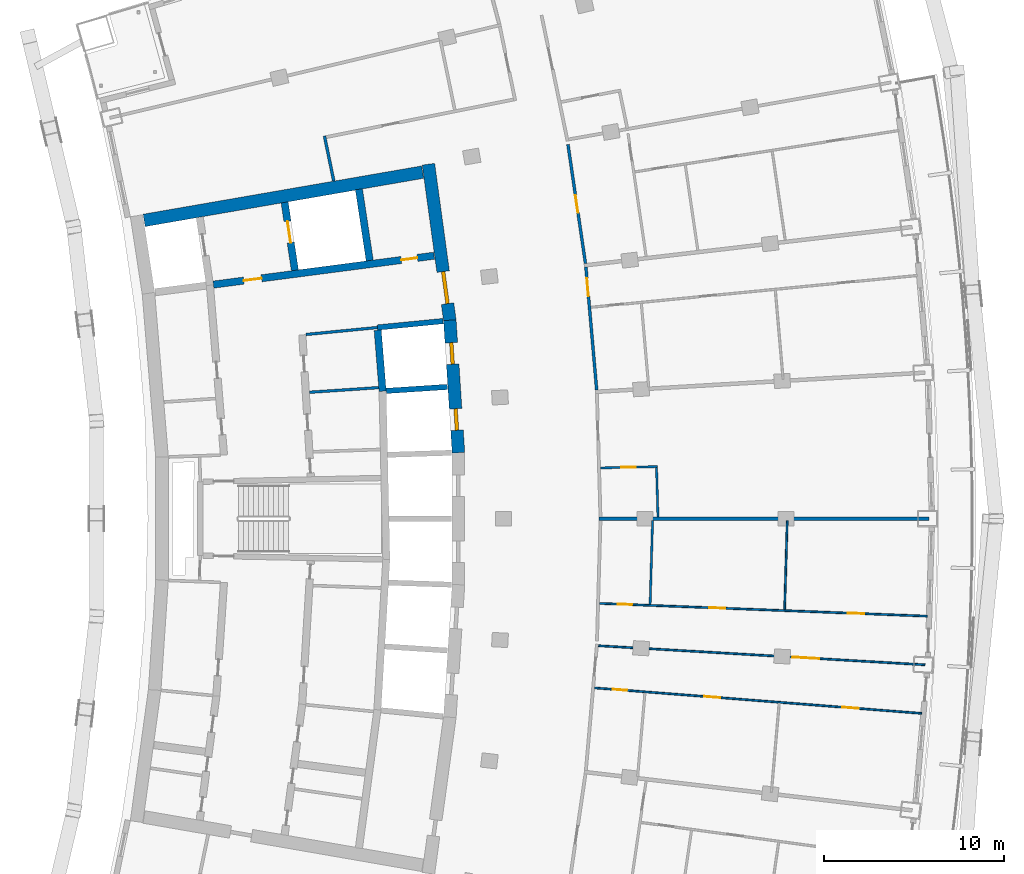
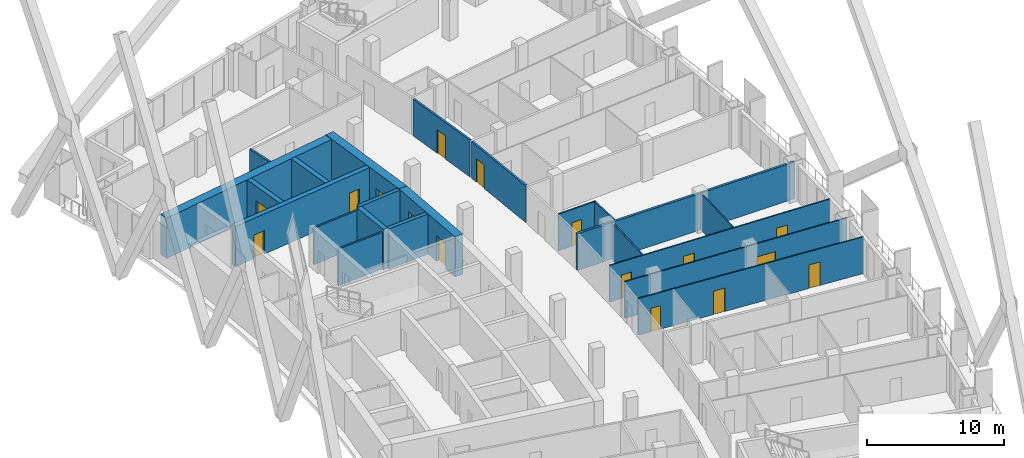
# One storey, part 15 of 22: 22 walls, 16 doors, 16 openings.
"""IFC4 building model written with IfcOpenShell, lengths in metres."""

from ifc_helpers import new_model, si_unit, direction, frame, frame_2d, origin, place, context, subcontext, project, spatial, rectangle, extrude, material, layer, layer_set, type_object, element, fill, save


model = new_model("IFC4")

# Units and contexts
model_context = context("Model", 3, precision=1e-05, world=origin(), true_north=direction((0.0, 1.0)))
body_context = subcontext(model_context, "Body", "Model", "MODEL_VIEW")
ifc_project = project(units=[si_unit("LENGTHUNIT", "METRE"), si_unit("AREAUNIT", "SQUARE_METRE"), si_unit("VOLUMEUNIT", "CUBIC_METRE"), si_unit("PLANEANGLEUNIT", "RADIAN"), si_unit("MASSUNIT", "GRAM", prefix="KILO")], contexts=[model_context])

# Site, building, storey
site_placement = place(None, origin())
site = spatial("IfcSite", under=ifc_project, at=site_placement, CompositionType="ELEMENT")
building_placement = place(site_placement, origin())
building = spatial("IfcBuilding", under=site, at=building_placement, Name="Alderwake Tower", CompositionType="ELEMENT")
storey_placement = place(building_placement, frame((0.0, 0.0, 160.39990234375)))
storey = spatial("IfcBuildingStorey", under=building, at=storey_placement, Name="L39", CompositionType="ELEMENT", Elevation=160.39990234375)

# Walls
ifc_material_1 = material(Name="Gypsum shaft wall system, rated")
ifc_layer_1 = layer(ifc_material_1, 0.14990234375)
ifc_layer_set_1 = layer_set([ifc_layer_1], Name="Core room partition 150")
wall_type_1 = type_object("IfcWallType", Name="Core room partition 150", PredefinedType="PARTITIONING", material=ifc_layer_set_1)
wall_1_placement = place(storey_placement, frame((24.992431640625, 68.038818359375, 0.0), z_axis=(0.0, 0.0, 1.0), x_axis=(0.997760236964, 0.066891774789, 0.0)))
element("IfcWall", 1, at=wall_1_placement, inside=storey, type_object=wall_type_1, Name="CW/L39/PR+70_+86", PredefinedType="PARTITIONING", context=body_context, shape_type="SweptSolid", body=[
    extrude(rectangle(XDim=3.86865234375, YDim=0.14990234375, at=frame_2d((1.934326171875, 0.0))), origin(), (0.0, 0.0, 1.0), 3.280029296875),
])
wall_2_placement = place(storey_placement, frame((24.799560546875, 71.2548828125, 0.0), z_axis=(0.0, 0.0, 1.0), x_axis=(0.995250000627, 0.097352125046, 0.0)))
element("IfcWall", 2, at=wall_2_placement, inside=storey, type_object=wall_type_1, Name="CW/L39/PR+102_+86", PredefinedType="PARTITIONING", context=body_context, shape_type="SweptSolid", body=[
    extrude(rectangle(XDim=4.0, YDim=0.14990234375, at=frame_2d((2.0, 0.0))), origin(), (0.0, 0.0, 1.0), 3.280029296875),
])

# Wall, openings, doors
ifc_material_2 = material(Name="Concrete C70/85", Category="concrete")
ifc_layer_2 = layer(ifc_material_2, 0.699951171875)
ifc_layer_set_2 = layer_set([ifc_layer_2], Name="Core wall outer 700 C70-85")
wall_type_2 = type_object("IfcWallType", Name="Core wall outer 700 C70-85", PredefinedType="SHEAR", material=ifc_layer_set_2)
wall_3_placement = place(storey_placement, frame((33.291015625, 64.6728515625, 0.0), z_axis=(0.0, 0.0, 1.0), x_axis=(-0.065009096017, 0.99788467141, 0.0)))
wall_3 = element("IfcWall", 3, at=wall_3_placement, inside=storey, type_object=wall_type_2, Name="Core wall CW.010", PredefinedType="SHEAR", context=body_context, shape_type="SweptSolid", body=[
    extrude(rectangle(XDim=7.39453125, YDim=0.699951171875, at=frame_2d((3.697265625, 0.0))), origin(), (0.0, 0.0, 1.0), 3.60009765625),
])
opening_1_placement = place(wall_3_placement, frame((1.25390625, 0.0, 0.0)))
opening_1 = element("IfcOpeningElement", 4, at=opening_1_placement, cuts=wall_3, Name="Opening LD-HP5", PredefinedType="OPENING", context=body_context, shape_type="SweptSolid", body=[
    extrude(rectangle(XDim=1.199951171875, YDim=2.300048828125, at=frame_2d((0.60009765625, 1.14990234375))), frame((0.0, 0.35986328125, 0.0), z_axis=(0.0, -1.0, 0.0), x_axis=(1.0, 0.0, 0.0)), (0.0, 0.0, 1.0), 0.719970703125),
])
opening_2_placement = place(wall_3_placement, frame((4.939208984375, 0.0, 0.0)))
opening_2 = element("IfcOpeningElement", 5, at=opening_2_placement, cuts=wall_3, Name="Opening LD-HP6", PredefinedType="OPENING", context=body_context, shape_type="SweptSolid", body=[
    extrude(rectangle(XDim=1.199951171875, YDim=2.300048828125, at=frame_2d((0.60009765625, 1.14990234375))), frame((0.0, 0.35986328125, 0.0), z_axis=(0.0, -1.0, 0.0), x_axis=(1.0, 0.0, 0.0)), (0.0, 0.0, 1.0), 0.719970703125),
])
ifc_material_3 = material(Name="Stainless steel sliding leaf", Category="steel")
door_type_1 = type_object("IfcDoorType", Name="Lift landing door 1200", OperationType="SLIDING_TO_LEFT", PredefinedType="DOOR", material=ifc_material_3)
door_1_placement = place(opening_1_placement, origin())
door_1 = element("IfcDoor", 6, at=door_1_placement, inside=storey, type_object=door_type_1, Name="Lift landing door HP5", OperationType="SLIDING_TO_LEFT", OverallHeight=2.300048828125, OverallWidth=1.199951171875, PredefinedType="DOOR", context=body_context, shape_type="SweptSolid", body=[
    extrude(rectangle(XDim=1.199951171875, YDim=2.300048828125, at=frame_2d((0.60009765625, 1.14990234375))), frame((0.0, 0.10009765625, 0.0), z_axis=(0.0, -1.0, 0.0), x_axis=(1.0, 0.0, 0.0)), (0.0, 0.0, 1.0), 0.199951171875),
])
fill(opening_1, door_1)
door_2_placement = place(opening_2_placement, origin())
door_2 = element("IfcDoor", 7, at=door_2_placement, inside=storey, type_object=door_type_1, Name="Lift landing door HP6", OperationType="SLIDING_TO_LEFT", OverallHeight=2.300048828125, OverallWidth=1.199951171875, PredefinedType="DOOR", context=body_context, shape_type="SweptSolid", body=[
    extrude(rectangle(XDim=1.199951171875, YDim=2.300048828125, at=frame_2d((0.60009765625, 1.14990234375))), frame((0.0, 0.10009765625, 0.0), z_axis=(0.0, -1.0, 0.0), x_axis=(1.0, 0.0, 0.0)), (0.0, 0.0, 1.0), 0.199951171875),
])
fill(opening_2, door_2)

# Wall, opening, door
wall_4_placement = place(storey_placement, frame((31.618896484375, 80.735107421875, 0.0), z_axis=(0.0, 0.0, 1.0), x_axis=(0.135835706655, -0.99073137671, 0.0)))
wall_4 = element("IfcWall", 8, at=wall_4_placement, inside=storey, type_object=wall_type_2, Name="Core wall CW.009", PredefinedType="SHEAR", context=body_context, shape_type="SweptSolid", body=[
    extrude(rectangle(XDim=8.790771484375, YDim=0.699951171875, at=frame_2d((4.3955078125, 0.0))), origin(), (0.0, 0.0, 1.0), 3.60009765625),
])
opening_3_placement = place(wall_4_placement, frame((6.035888671875, 0.0, 0.0)))
opening_3 = element("IfcOpeningElement", 9, at=opening_3_placement, cuts=wall_4, Name="Opening C001", PredefinedType="OPENING", context=body_context, shape_type="SweptSolid", body=[
    extrude(rectangle(XDim=1.800048828125, YDim=2.10009765625, at=frame_2d((0.89990234375, 1.050048828125))), frame((0.0, 0.35986328125, 0.0), z_axis=(0.0, -1.0, 0.0), x_axis=(1.0, 0.0, 0.0)), (0.0, 0.0, 1.0), 0.719970703125),
])
ifc_material_4 = material(Name="Steel-framed fire door leaves", Category="steel")
door_type_2 = type_object("IfcDoorType", Name="Core double door 1800 fire-rated", OperationType="DOUBLE_DOOR_SINGLE_SWING", PredefinedType="DOOR", material=ifc_material_4)
door_3_placement = place(opening_3_placement, origin())
door_3 = element("IfcDoor", 10, at=door_3_placement, inside=storey, type_object=door_type_2, Name="Lobby double door", OperationType="DOUBLE_DOOR_SINGLE_SWING", OverallHeight=2.10009765625, OverallWidth=1.800048828125, PredefinedType="DOOR", context=body_context, shape_type="SweptSolid", body=[
    extrude(rectangle(XDim=1.800048828125, YDim=2.10009765625, at=frame_2d((0.89990234375, 1.050048828125))), frame((0.0, 0.10009765625, 0.0), z_axis=(0.0, -1.0, 0.0), x_axis=(1.0, 0.0, 0.0)), (0.0, 0.0, 1.0), 0.199951171875),
])
fill(opening_3, door_3)

# Walls
wall_5_placement = place(storey_placement, frame((15.79443359375, 77.606689453125, 0.0), z_axis=(0.0, 0.0, 1.0), x_axis=(0.985301369349, 0.170825090542, 0.0)))
element("IfcWall", 11, at=wall_5_placement, inside=storey, type_object=wall_type_2, Name="Core wall CW.055", PredefinedType="SHEAR", context=body_context, shape_type="SweptSolid", body=[
    extrude(rectangle(XDim=15.732421875, YDim=0.699951171875, at=frame_2d((7.8662109375, 0.0))), origin(), (0.0, 0.0, 1.0), 3.60009765625),
])
ifc_material_5 = material(Name="Concrete C70/85", Category="concrete")
ifc_layer_3 = layer(ifc_material_5, 0.300048828125)
ifc_layer_set_3 = layer_set([ifc_layer_3], Name="Core wall shaft 300 C70-85")
wall_type_3 = type_object("IfcWallType", Name="Core wall shaft 300 C70-85", PredefinedType="SHEAR", material=ifc_layer_set_3)
wall_6_placement = place(storey_placement, frame((29.268798828125, 68.115478515625, 0.0), z_axis=(0.0, 0.0, 1.0), x_axis=(0.997884450261, 0.065012490553, 0.0)))
element("IfcWall", 12, at=wall_6_placement, inside=storey, type_object=wall_type_3, Name="Core wall CW.061", PredefinedType="SHEAR", context=body_context, shape_type="SweptSolid", body=[
    extrude(rectangle(XDim=3.409912109375, YDim=0.300048828125, at=frame_2d((1.705078125, 0.0))), origin(), (0.0, 0.0, 1.0), 3.60009765625),
])
wall_7_placement = place(storey_placement, frame((28.780517578125, 71.644287109375, 0.0), z_axis=(0.0, 0.0, 1.0), x_axis=(0.995245736737, 0.097395705788, 0.0)))
element("IfcWall", 13, at=wall_7_placement, inside=storey, type_object=wall_type_3, Name="Core wall CW.049", PredefinedType="SHEAR", context=body_context, shape_type="SweptSolid", body=[
    extrude(rectangle(XDim=3.669677734375, YDim=0.300048828125, at=frame_2d((1.8349609375, 0.0))), origin(), (0.0, 0.0, 1.0), 3.60009765625),
])

# Wall, opening, door
ifc_material_6 = material(Name="Concrete C70/85", Category="concrete")
ifc_layer_4 = layer(ifc_material_6, 0.39990234375)
ifc_layer_set_4 = layer_set([ifc_layer_4], Name="Core wall spine 400 C70-85")
wall_type_4 = type_object("IfcWallType", Name="Core wall spine 400 C70-85", PredefinedType="SHEAR", material=ifc_layer_set_4)
wall_8_placement = place(storey_placement, frame((24.186279296875, 74.82861328125, 0.0), z_axis=(0.0, 0.0, 1.0), x_axis=(-0.149604879253, 0.988745862243, 0.0)))
wall_8 = element("IfcWall", 14, at=wall_8_placement, inside=storey, type_object=wall_type_4, Name="Core wall CW.044", PredefinedType="SHEAR", context=body_context, shape_type="SweptSolid", body=[
    extrude(rectangle(XDim=3.823486328125, YDim=0.39990234375, at=frame_2d((1.91162109375, 0.0))), origin(), (0.0, 0.0, 1.0), 3.60009765625),
])
opening_4_placement = place(wall_8_placement, frame((1.561767578125, 0.0, 0.0)))
opening_4 = element("IfcOpeningElement", 15, at=opening_4_placement, cuts=wall_8, Name="Opening LD-FF2", PredefinedType="OPENING", context=body_context, shape_type="SweptSolid", body=[
    extrude(rectangle(XDim=1.199951171875, YDim=2.300048828125, at=frame_2d((0.60009765625, 1.14990234375))), frame((0.0, 0.2099609375, 0.0), z_axis=(0.0, -1.0, 0.0), x_axis=(1.0, 0.0, 0.0)), (0.0, 0.0, 1.0), 0.419921875),
])
door_4_placement = place(opening_4_placement, origin())
door_4 = element("IfcDoor", 16, at=door_4_placement, inside=storey, type_object=door_type_1, Name="Lift landing door FF2", OperationType="SLIDING_TO_LEFT", OverallHeight=2.300048828125, OverallWidth=1.199951171875, PredefinedType="DOOR", context=body_context, shape_type="SweptSolid", body=[
    extrude(rectangle(XDim=1.199951171875, YDim=2.300048828125, at=frame_2d((0.60009765625, 1.14990234375))), frame((0.0, 0.02490234375, 0.0), z_axis=(0.0, -1.0, 0.0), x_axis=(1.0, 0.0, 0.0)), (0.0, 0.0, 1.0), 0.050048828125),
])
fill(opening_4, door_4)

# Walls
wall_9_placement = place(storey_placement, frame((29.069580078125, 68.09619140625, 0.0), z_axis=(0.0, 0.0, 1.0), x_axis=(-0.080544811251, 0.996750988653, 0.0)))
element("IfcWall", 17, at=wall_9_placement, inside=storey, type_object=wall_type_4, Name="Core wall CW.003", PredefinedType="SHEAR", context=body_context, shape_type="SweptSolid", body=[
    extrude(rectangle(XDim=3.409912109375, YDim=0.39990234375, at=frame_2d((1.705078125, 0.0))), origin(), (0.0, 0.0, 1.0), 3.60009765625),
])
wall_10_placement = place(storey_placement, frame((28.350830078125, 75.373291015625, 0.0), z_axis=(0.0, 0.0, 1.0), x_axis=(-0.149688214264, 0.988733249421, 0.0)))
element("IfcWall", 18, at=wall_10_placement, inside=storey, type_object=wall_type_4, Name="Core wall CW.001", PredefinedType="SHEAR", context=body_context, shape_type="SweptSolid", body=[
    extrude(rectangle(XDim=4.01220703125, YDim=0.39990234375, at=frame_2d((2.006103515625, 0.0))), origin(), (0.0, 0.0, 1.0), 3.60009765625),
])

# Wall, openings, doors
wall_11_placement = place(storey_placement, frame((31.933837890625, 75.64013671875, 0.0), z_axis=(0.0, 0.0, 1.0), x_axis=(-0.991554628634, -0.129689700573, 0.0)))
wall_11 = element("IfcWall", 19, at=wall_11_placement, inside=storey, type_object=wall_type_4, Name="Core wall CW.052", PredefinedType="SHEAR", context=body_context, shape_type="SweptSolid", body=[
    extrude(rectangle(XDim=12.38671875, YDim=0.39990234375, at=frame_2d((6.193359375, 0.0))), origin(), (0.0, 0.0, 1.0), 3.60009765625),
])
opening_5_placement = place(wall_11_placement, frame((9.687255859375, 0.0, 0.0)))
opening_5 = element("IfcOpeningElement", 20, at=opening_5_placement, cuts=wall_11, Name="Opening C002", PredefinedType="OPENING", context=body_context, shape_type="SweptSolid", body=[
    extrude(rectangle(XDim=1.0, YDim=2.10009765625, at=frame_2d((0.5, 1.050048828125))), frame((0.0, 0.2099609375, 0.0), z_axis=(0.0, -1.0, 0.0), x_axis=(1.0, 0.0, 0.0)), (0.0, 0.0, 1.0), 0.419921875),
])
opening_6_placement = place(wall_11_placement, frame((0.937255859375, 0.0, 0.0)))
opening_6 = element("IfcOpeningElement", 21, at=opening_6_placement, cuts=wall_11, Name="Opening C020", PredefinedType="OPENING", context=body_context, shape_type="SweptSolid", body=[
    extrude(rectangle(XDim=0.89990234375, YDim=2.10009765625, at=frame_2d((0.449951171875, 1.050048828125))), frame((0.0, 0.2099609375, 0.0), z_axis=(0.0, -1.0, 0.0), x_axis=(1.0, 0.0, 0.0)), (0.0, 0.0, 1.0), 0.419921875),
])
ifc_material_7 = material(Name="Painted steel leaf", Category="steel")
door_type_3 = type_object("IfcDoorType", Name="Core room door 900", OperationType="SINGLE_SWING_LEFT", PredefinedType="DOOR", material=ifc_material_7)
door_5_placement = place(opening_6_placement, origin())
door_5 = element("IfcDoor", 22, at=door_5_placement, inside=storey, type_object=door_type_3, Name="Room door", OperationType="SINGLE_SWING_LEFT", OverallHeight=2.10009765625, OverallWidth=0.89990234375, PredefinedType="DOOR", context=body_context, shape_type="SweptSolid", body=[
    extrude(rectangle(XDim=0.89990234375, YDim=2.10009765625, at=frame_2d((0.449951171875, 1.050048828125))), frame((0.0, 0.02490234375, 0.0), z_axis=(0.0, -1.0, 0.0), x_axis=(1.0, 0.0, 0.0)), (0.0, 0.0, 1.0), 0.050048828125),
])
fill(opening_6, door_5)
ifc_material_8 = material(Name="Steel-framed fire door leaf", Category="steel")
door_type_4 = type_object("IfcDoorType", Name="Firefighting lobby door 1000 fire-rated", OperationType="SINGLE_SWING_LEFT", PredefinedType="DOOR", material=ifc_material_8)
door_6_placement = place(opening_5_placement, origin())
door_6 = element("IfcDoor", 23, at=door_6_placement, inside=storey, type_object=door_type_4, Name="Firefighting lobby door", OperationType="SINGLE_SWING_RIGHT", OverallHeight=2.10009765625, OverallWidth=1.0, PredefinedType="DOOR", context=body_context, shape_type="SweptSolid", body=[
    extrude(rectangle(XDim=1.0, YDim=2.10009765625, at=frame_2d((0.5, 1.050048828125))), frame((0.0, 0.02490234375, 0.0), z_axis=(0.0, -1.0, 0.0), x_axis=(1.0, 0.0, 0.0)), (0.0, 0.0, 1.0), 0.050048828125),
])
fill(opening_5, door_6)

# Wall
ifc_material_9 = material(Name="Gypsum board on metal studs, rated")
ifc_layer_5 = layer(ifc_material_9, 0.159912109375)
ifc_layer_set_5 = layer_set([ifc_layer_5], Name="Corridor wall 160")
wall_type_5 = type_object("IfcWallType", Name="Corridor wall 160", PredefinedType="PARTITIONING", material=ifc_layer_set_5)
wall_12_placement = place(storey_placement, frame((25.831787109375, 82.305419921875, 0.0), z_axis=(0.0, 0.0, 1.0), x_axis=(0.202450797205, -0.979292435747, 0.0)))
element("IfcWall", 24, at=wall_12_placement, inside=storey, type_object=wall_type_5, Name="WL/L39/W14", PredefinedType="PARTITIONING", context=body_context, shape_type="SweptSolid", body=[
    extrude(rectangle(XDim=2.555419921875, YDim=0.159912109375, at=frame_2d((1.27783203125, 0.0))), origin(), (0.0, 0.0, 1.0), 3.280029296875),
])

# Wall, opening, door
wall_13_placement = place(storey_placement, frame((39.38671875, 81.837158203125, 0.0), z_axis=(0.0, 0.0, 1.0), x_axis=(0.145576845789, -0.989346947218, 0.0)))
wall_13 = element("IfcWall", 25, at=wall_13_placement, inside=storey, type_object=wall_type_5, Name="WL/L39/W24", PredefinedType="PARTITIONING", context=body_context, shape_type="SweptSolid", body=[
    extrude(rectangle(XDim=6.701416015625, YDim=0.159912109375, at=frame_2d((3.3505859375, 0.0))), origin(), (0.0, 0.0, 1.0), 3.280029296875),
])
opening_7_placement = place(wall_13_placement, frame((2.850830078125, 0.0, 0.0)))
opening_7 = element("IfcOpeningElement", 26, at=opening_7_placement, cuts=wall_13, Name="Opening R11-U08.2", PredefinedType="OPENING", context=body_context, shape_type="SweptSolid", body=[
    extrude(rectangle(XDim=1.0, YDim=2.10009765625, at=frame_2d((0.5, 1.050048828125))), frame((0.0, 0.08984375, 0.0), z_axis=(0.0, -1.0, 0.0), x_axis=(1.0, 0.0, 0.0)), (0.0, 0.0, 1.0), 0.179931640625),
])
ifc_material_10 = material(Name="Solid timber leaf in steel frame", Category="steel")
door_type_5 = type_object("IfcDoorType", Name="Flat entrance door 1000 fire-rated", OperationType="SINGLE_SWING_LEFT", PredefinedType="DOOR", material=ifc_material_10)
door_7_placement = place(opening_7_placement, origin())
door_7 = element("IfcDoor", 27, at=door_7_placement, inside=storey, type_object=door_type_5, Name="DR/L39/U08.2", OperationType="SINGLE_SWING_LEFT", OverallHeight=2.10009765625, OverallWidth=1.0, PredefinedType="DOOR", context=body_context, shape_type="SweptSolid", body=[
    extrude(rectangle(XDim=1.0, YDim=2.10009765625, at=frame_2d((0.5, 1.050048828125))), frame((0.0, 0.02490234375, 0.0), z_axis=(0.0, -1.0, 0.0), x_axis=(1.0, 0.0, 0.0)), (0.0, 0.0, 1.0), 0.050048828125),
])
fill(opening_7, door_7)

wall_14_placement = place(storey_placement, frame((40.3857421875, 75.00830078125, 0.0), z_axis=(0.0, 0.0, 1.0), x_axis=(0.087448731147, -0.996169021512, 0.0)))
wall_14 = element("IfcWall", 28, at=wall_14_placement, inside=storey, type_object=wall_type_5, Name="WL/L39/W26", PredefinedType="PARTITIONING", context=body_context, shape_type="SweptSolid", body=[
    extrude(rectangle(XDim=6.867919921875, YDim=0.159912109375, at=frame_2d((3.43408203125, 0.0))), origin(), (0.0, 0.0, 1.0), 3.280029296875),
])
opening_8_placement = place(wall_14_placement, frame((0.628173828125, 0.0, 0.0)))
opening_8 = element("IfcOpeningElement", 29, at=opening_8_placement, cuts=wall_14, Name="Opening R11-U07.2", PredefinedType="OPENING", context=body_context, shape_type="SweptSolid", body=[
    extrude(rectangle(XDim=1.0, YDim=2.10009765625, at=frame_2d((0.5, 1.050048828125))), frame((0.0, 0.08984375, 0.0), z_axis=(0.0, -1.0, 0.0), x_axis=(1.0, 0.0, 0.0)), (0.0, 0.0, 1.0), 0.179931640625),
])
door_8_placement = place(opening_8_placement, origin())
door_8 = element("IfcDoor", 30, at=door_8_placement, inside=storey, type_object=door_type_5, Name="DR/L39/U07.2", OperationType="SINGLE_SWING_LEFT", OverallHeight=2.10009765625, OverallWidth=1.0, PredefinedType="DOOR", context=body_context, shape_type="SweptSolid", body=[
    extrude(rectangle(XDim=1.0, YDim=2.10009765625, at=frame_2d((0.5, 1.050048828125))), frame((0.0, 0.02490234375, 0.0), z_axis=(0.0, -1.0, 0.0), x_axis=(1.0, 0.0, 0.0)), (0.0, 0.0, 1.0), 0.050048828125),
])
fill(opening_8, door_8)

# Wall
ifc_material_11 = material(Name="Dense block masonry wall", Category="masonry")
ifc_layer_6 = layer(ifc_material_11, 0.199951171875)
ifc_layer_set_6 = layer_set([ifc_layer_6], Name="Party wall 200")
wall_type_6 = type_object("IfcWallType", Name="Party wall 200", PredefinedType="SOLIDWALL", material=ifc_layer_set_6)
wall_15_placement = place(storey_placement, frame((59.4990234375, 60.9990234375, 0.0), z_axis=(0.0, 0.0, 1.0), x_axis=(-1.0, 0.0, 0.0)))
element("IfcWall", 31, at=wall_15_placement, inside=storey, type_object=wall_type_6, Name="WL/L39/W05", PredefinedType="SOLIDWALL", context=body_context, shape_type="SweptSolid", body=[
    extrude(rectangle(XDim=18.380126953125, YDim=0.199951171875, at=frame_2d((9.18994140625, 0.0))), origin(), (0.0, 0.0, 1.0), 3.280029296875),
])

# Wall, openings, doors
ifc_material_12 = material(Name="Gypsum board on metal studs")
ifc_layer_7 = layer(ifc_material_12, 0.10009765625)
ifc_layer_set_7 = layer_set([ifc_layer_7], Name="Unit partition 100")
wall_type_7 = type_object("IfcWallType", Name="Unit partition 100", PredefinedType="PARTITIONING", material=ifc_layer_set_7)
wall_16_placement = place(storey_placement, frame((59.075927734375, 50.1630859375, 0.0), z_axis=(0.0, 0.0, 1.0), x_axis=(-0.996978274277, 0.077680889673, 0.0)))
wall_16 = element("IfcWall", 32, at=wall_16_placement, inside=storey, type_object=wall_type_7, Name="WL/L39/W45", PredefinedType="PARTITIONING", context=body_context, shape_type="SweptSolid", body=[
    extrude(rectangle(XDim=18.26318359375, YDim=0.10009765625, at=frame_2d((9.131591796875, 0.0))), origin(), (0.0, 0.0, 1.0), 3.280029296875),
])
opening_9_placement = place(wall_16_placement, frame((11.247802734375, 0.0, 0.0)))
opening_9 = element("IfcOpeningElement", 33, at=opening_9_placement, cuts=wall_16, Name="Opening R11-U05.1", PredefinedType="OPENING", context=body_context, shape_type="SweptSolid", body=[
    extrude(rectangle(XDim=0.89990234375, YDim=2.10009765625, at=frame_2d((0.449951171875, 1.050048828125))), frame((0.0, 0.06005859375, 0.0), z_axis=(0.0, -1.0, 0.0), x_axis=(1.0, 0.0, 0.0)), (0.0, 0.0, 1.0), 0.1201171875),
])
opening_10_placement = place(wall_16_placement, frame((16.4541015625, 0.0, 0.0)))
opening_10 = element("IfcOpeningElement", 34, at=opening_10_placement, cuts=wall_16, Name="Opening R11-U05.3", PredefinedType="OPENING", context=body_context, shape_type="SweptSolid", body=[
    extrude(rectangle(XDim=0.800048828125, YDim=2.10009765625, at=frame_2d((0.39990234375, 1.050048828125))), frame((0.0, 0.06005859375, 0.0), z_axis=(0.0, -1.0, 0.0), x_axis=(1.0, 0.0, 0.0)), (0.0, 0.0, 1.0), 0.1201171875),
])
opening_11_placement = place(wall_16_placement, frame((3.52587890625, 0.0, 0.0)))
opening_11 = element("IfcOpeningElement", 35, at=opening_11_placement, cuts=wall_16, Name="Opening R11-U05.4", PredefinedType="OPENING", context=body_context, shape_type="SweptSolid", body=[
    extrude(rectangle(XDim=0.89990234375, YDim=2.10009765625, at=frame_2d((0.449951171875, 1.050048828125))), frame((0.0, 0.06005859375, 0.0), z_axis=(0.0, -1.0, 0.0), x_axis=(1.0, 0.0, 0.0)), (0.0, 0.0, 1.0), 0.1201171875),
])
ifc_material_13 = material(Name="Painted timber leaf", Category="wood")
door_type_6 = type_object("IfcDoorType", Name="Bathroom door 800", OperationType="SINGLE_SWING_LEFT", PredefinedType="DOOR", material=ifc_material_13)
door_9_placement = place(opening_10_placement, origin())
door_9 = element("IfcDoor", 36, at=door_9_placement, inside=storey, type_object=door_type_6, Name="DR/L39/U05.3", OperationType="SINGLE_SWING_LEFT", OverallHeight=2.10009765625, OverallWidth=0.800048828125, PredefinedType="DOOR", context=body_context, shape_type="SweptSolid", body=[
    extrude(rectangle(XDim=0.800048828125, YDim=2.10009765625, at=frame_2d((0.39990234375, 1.050048828125))), frame((0.0, 0.02490234375, 0.0), z_axis=(0.0, -1.0, 0.0), x_axis=(1.0, 0.0, 0.0)), (0.0, 0.0, 1.0), 0.050048828125),
])
fill(opening_10, door_9)
ifc_material_14 = material(Name="Painted timber leaf", Category="wood")
door_type_7 = type_object("IfcDoorType", Name="Room door 900", OperationType="SINGLE_SWING_LEFT", PredefinedType="DOOR", material=ifc_material_14)
door_10_placement = place(opening_9_placement, origin())
door_10 = element("IfcDoor", 37, at=door_10_placement, inside=storey, type_object=door_type_7, Name="DR/L39/U05.1", OperationType="SINGLE_SWING_LEFT", OverallHeight=2.10009765625, OverallWidth=0.89990234375, PredefinedType="DOOR", context=body_context, shape_type="SweptSolid", body=[
    extrude(rectangle(XDim=0.89990234375, YDim=2.10009765625, at=frame_2d((0.449951171875, 1.050048828125))), frame((0.0, 0.02490234375, 0.0), z_axis=(0.0, -1.0, 0.0), x_axis=(1.0, 0.0, 0.0)), (0.0, 0.0, 1.0), 0.050048828125),
])
fill(opening_9, door_10)
door_11_placement = place(opening_11_placement, origin())
door_11 = element("IfcDoor", 38, at=door_11_placement, inside=storey, type_object=door_type_7, Name="DR/L39/U05.4", OperationType="SINGLE_SWING_LEFT", OverallHeight=2.10009765625, OverallWidth=0.89990234375, PredefinedType="DOOR", context=body_context, shape_type="SweptSolid", body=[
    extrude(rectangle(XDim=0.89990234375, YDim=2.10009765625, at=frame_2d((0.449951171875, 1.050048828125))), frame((0.0, 0.02490234375, 0.0), z_axis=(0.0, -1.0, 0.0), x_axis=(1.0, 0.0, 0.0)), (0.0, 0.0, 1.0), 0.050048828125),
])
fill(opening_11, door_11)

wall_17_placement = place(storey_placement, frame((41.143798828125, 56.285888671875, 0.0), z_axis=(0.0, 0.0, 1.0), x_axis=(0.999241874954, -0.03893167525, 0.0)))
wall_17 = element("IfcWall", 39, at=wall_17_placement, inside=storey, type_object=wall_type_7, Name="WL/L39/W46", PredefinedType="PARTITIONING", context=body_context, shape_type="SweptSolid", body=[
    extrude(rectangle(XDim=18.26123046875, YDim=0.10009765625, at=frame_2d((9.130615234375, 0.0))), origin(), (0.0, 0.0, 1.0), 3.280029296875),
])
opening_12_placement = place(wall_17_placement, frame((6.1142578125, 0.0, 0.0)))
opening_12 = element("IfcOpeningElement", 40, at=opening_12_placement, cuts=wall_17, Name="Opening R11-U05.5", PredefinedType="OPENING", context=body_context, shape_type="SweptSolid", body=[
    extrude(rectangle(XDim=0.89990234375, YDim=2.10009765625, at=frame_2d((0.449951171875, 1.050048828125))), frame((0.0, 0.06005859375, 0.0), z_axis=(0.0, -1.0, 0.0), x_axis=(1.0, 0.0, 0.0)), (0.0, 0.0, 1.0), 0.1201171875),
])
opening_13_placement = place(wall_17_placement, frame((1.0087890625, 0.0, 0.0)))
opening_13 = element("IfcOpeningElement", 41, at=opening_13_placement, cuts=wall_17, Name="Opening R11-U05.6", PredefinedType="OPENING", context=body_context, shape_type="SweptSolid", body=[
    extrude(rectangle(XDim=0.800048828125, YDim=2.10009765625, at=frame_2d((0.39990234375, 1.050048828125))), frame((0.0, 0.06005859375, 0.0), z_axis=(0.0, -1.0, 0.0), x_axis=(1.0, 0.0, 0.0)), (0.0, 0.0, 1.0), 0.1201171875),
])
opening_14_placement = place(wall_17_placement, frame((13.8359375, 0.0, 0.0)))
opening_14 = element("IfcOpeningElement", 42, at=opening_14_placement, cuts=wall_17, Name="Opening R11-U05.7", PredefinedType="OPENING", context=body_context, shape_type="SweptSolid", body=[
    extrude(rectangle(XDim=0.89990234375, YDim=2.10009765625, at=frame_2d((0.449951171875, 1.050048828125))), frame((0.0, 0.06005859375, 0.0), z_axis=(0.0, -1.0, 0.0), x_axis=(1.0, 0.0, 0.0)), (0.0, 0.0, 1.0), 0.1201171875),
])
door_12_placement = place(opening_13_placement, origin())
door_12 = element("IfcDoor", 43, at=door_12_placement, inside=storey, type_object=door_type_6, Name="DR/L39/U05.6", OperationType="SINGLE_SWING_LEFT", OverallHeight=2.10009765625, OverallWidth=0.800048828125, PredefinedType="DOOR", context=body_context, shape_type="SweptSolid", body=[
    extrude(rectangle(XDim=0.800048828125, YDim=2.10009765625, at=frame_2d((0.39990234375, 1.050048828125))), frame((0.0, 0.02490234375, 0.0), z_axis=(0.0, -1.0, 0.0), x_axis=(1.0, 0.0, 0.0)), (0.0, 0.0, 1.0), 0.050048828125),
])
fill(opening_13, door_12)
door_13_placement = place(opening_12_placement, origin())
door_13 = element("IfcDoor", 44, at=door_13_placement, inside=storey, type_object=door_type_7, Name="DR/L39/U05.5", OperationType="SINGLE_SWING_LEFT", OverallHeight=2.10009765625, OverallWidth=0.89990234375, PredefinedType="DOOR", context=body_context, shape_type="SweptSolid", body=[
    extrude(rectangle(XDim=0.89990234375, YDim=2.10009765625, at=frame_2d((0.449951171875, 1.050048828125))), frame((0.0, 0.02490234375, 0.0), z_axis=(0.0, -1.0, 0.0), x_axis=(1.0, 0.0, 0.0)), (0.0, 0.0, 1.0), 0.050048828125),
])
fill(opening_12, door_13)
door_14_placement = place(opening_14_placement, origin())
door_14 = element("IfcDoor", 45, at=door_14_placement, inside=storey, type_object=door_type_7, Name="DR/L39/U05.7", OperationType="SINGLE_SWING_LEFT", OverallHeight=2.10009765625, OverallWidth=0.89990234375, PredefinedType="DOOR", context=body_context, shape_type="SweptSolid", body=[
    extrude(rectangle(XDim=0.89990234375, YDim=2.10009765625, at=frame_2d((0.449951171875, 1.050048828125))), frame((0.0, 0.02490234375, 0.0), z_axis=(0.0, -1.0, 0.0), x_axis=(1.0, 0.0, 0.0)), (0.0, 0.0, 1.0), 0.050048828125),
])
fill(opening_14, door_14)

# Wall
wall_18_placement = place(storey_placement, frame((51.448486328125, 55.93408203125, 0.0), z_axis=(0.0, 0.0, 1.0), x_axis=(0.02929505318, 0.999570807827, 0.0)))
element("IfcWall", 46, at=wall_18_placement, inside=storey, type_object=wall_type_7, Name="WL/L39/W53", PredefinedType="PARTITIONING", context=body_context, shape_type="SweptSolid", body=[
    extrude(rectangle(XDim=4.967041015625, YDim=0.10009765625, at=frame_2d((2.4833984375, 0.0))), origin(), (0.0, 0.0, 1.0), 3.280029296875),
])

# Wall, opening, door
wall_19_placement = place(storey_placement, frame((41.074951171875, 53.92919921875, 0.0), z_axis=(0.0, 0.0, 1.0), x_axis=(0.998295518632, -0.058361438286, 0.0)))
wall_19 = element("IfcWall", 47, at=wall_19_placement, inside=storey, type_object=wall_type_7, Name="WL/L39/W55", PredefinedType="PARTITIONING", context=body_context, shape_type="SweptSolid", body=[
    extrude(rectangle(XDim=18.218017578125, YDim=0.10009765625, at=frame_2d((9.10888671875, 0.0))), origin(), (0.0, 0.0, 1.0), 3.280029296875),
])
opening_15_placement = place(wall_19_placement, frame((10.830810546875, 0.0, 0.0)))
opening_15 = element("IfcOpeningElement", 48, at=opening_15_placement, cuts=wall_19, Name="Opening R11-U05.8", PredefinedType="OPENING", context=body_context, shape_type="SweptSolid", body=[
    extrude(rectangle(XDim=1.5, YDim=2.10009765625, at=frame_2d((0.75, 1.050048828125))), frame((0.0, 0.06005859375, 0.0), z_axis=(0.0, -1.0, 0.0), x_axis=(1.0, 0.0, 0.0)), (0.0, 0.0, 1.0), 0.1201171875),
])
ifc_material_15 = material(Name="Painted timber leaves", Category="wood")
door_type_8 = type_object("IfcDoorType", Name="Double leaf door 1500", OperationType="DOUBLE_DOOR_SINGLE_SWING", PredefinedType="DOOR", material=ifc_material_15)
door_15_placement = place(opening_15_placement, origin())
door_15 = element("IfcDoor", 49, at=door_15_placement, inside=storey, type_object=door_type_8, Name="DR/L39/U05.8", OperationType="DOUBLE_DOOR_SINGLE_SWING", OverallHeight=2.10009765625, OverallWidth=1.5, PredefinedType="DOOR", context=body_context, shape_type="SweptSolid", body=[
    extrude(rectangle(XDim=1.5, YDim=2.10009765625, at=frame_2d((0.75, 1.050048828125))), frame((0.0, 0.02490234375, 0.0), z_axis=(0.0, -1.0, 0.0), x_axis=(1.0, 0.0, 0.0)), (0.0, 0.0, 1.0), 0.050048828125),
])
fill(opening_15, door_15)

# Wall
ifc_material_16 = material(Name="Moisture resistant gypsum board on metal studs")
ifc_layer_8 = layer(ifc_material_16, 0.1201171875)
ifc_layer_set_8 = layer_set([ifc_layer_8], Name="Wet room partition 120")
wall_type_8 = type_object("IfcWallType", Name="Wet room partition 120", PredefinedType="PARTITIONING", material=ifc_layer_set_8)
wall_20_placement = place(storey_placement, frame((43.96044921875, 56.22802734375, 0.0), z_axis=(0.0, 0.0, 1.0), x_axis=(0.029257801765, 0.999571898883, 0.0)))
element("IfcWall", 50, at=wall_20_placement, inside=storey, type_object=wall_type_8, Name="WL/L39/W38", PredefinedType="PARTITIONING", context=body_context, shape_type="SweptSolid", body=[
    extrude(rectangle(XDim=4.6728515625, YDim=0.1201171875, at=frame_2d((2.33642578125, 0.0))), origin(), (0.0, 0.0, 1.0), 3.280029296875),
])

# Wall, opening, door
wall_21_placement = place(storey_placement, frame((44.3759765625, 63.9013671875, 0.0), z_axis=(0.0, 0.0, 1.0), x_axis=(-0.999725609485, -0.02342446884, 0.0)))
wall_21 = element("IfcWall", 51, at=wall_21_placement, inside=storey, type_object=wall_type_8, Name="WL/L39/W39", PredefinedType="PARTITIONING", context=body_context, shape_type="SweptSolid", body=[
    extrude(rectangle(XDim=3.178955078125, YDim=0.1201171875, at=frame_2d((1.58935546875, 0.0))), origin(), (0.0, 0.0, 1.0), 3.280029296875),
])
opening_16_placement = place(wall_21_placement, frame((1.2197265625, 0.0, 0.0)))
opening_16 = element("IfcOpeningElement", 52, at=opening_16_placement, cuts=wall_21, Name="Opening R11-U06.2", PredefinedType="OPENING", context=body_context, shape_type="SweptSolid", body=[
    extrude(rectangle(XDim=0.800048828125, YDim=2.10009765625, at=frame_2d((0.39990234375, 1.050048828125))), frame((0.0, 0.070068359375, 0.0), z_axis=(0.0, -1.0, 0.0), x_axis=(1.0, 0.0, 0.0)), (0.0, 0.0, 1.0), 0.14013671875),
])
door_16_placement = place(opening_16_placement, origin())
door_16 = element("IfcDoor", 53, at=door_16_placement, inside=storey, type_object=door_type_6, Name="DR/L39/U06.2", OperationType="SINGLE_SWING_LEFT", OverallHeight=2.10009765625, OverallWidth=0.800048828125, PredefinedType="DOOR", context=body_context, shape_type="SweptSolid", body=[
    extrude(rectangle(XDim=0.800048828125, YDim=2.10009765625, at=frame_2d((0.39990234375, 1.050048828125))), frame((0.0, 0.02490234375, 0.0), z_axis=(0.0, -1.0, 0.0), x_axis=(1.0, 0.0, 0.0)), (0.0, 0.0, 1.0), 0.050048828125),
])
fill(opening_16, door_16)

# Wall
wall_22_placement = place(storey_placement, frame((44.397216796875, 61.09912109375, 0.0), z_axis=(0.0, 0.0, 1.0), x_axis=(-0.029024908923, 0.999578688579, 0.0)))
element("IfcWall", 54, at=wall_22_placement, inside=storey, type_object=wall_type_8, Name="WL/L39/W40", PredefinedType="PARTITIONING", context=body_context, shape_type="SweptSolid", body=[
    extrude(rectangle(XDim=2.7421875, YDim=0.1201171875, at=frame_2d((1.37109375, 0.0))), origin(), (0.0, 0.0, 1.0), 3.280029296875),
])

save(model, "model.ifc")
